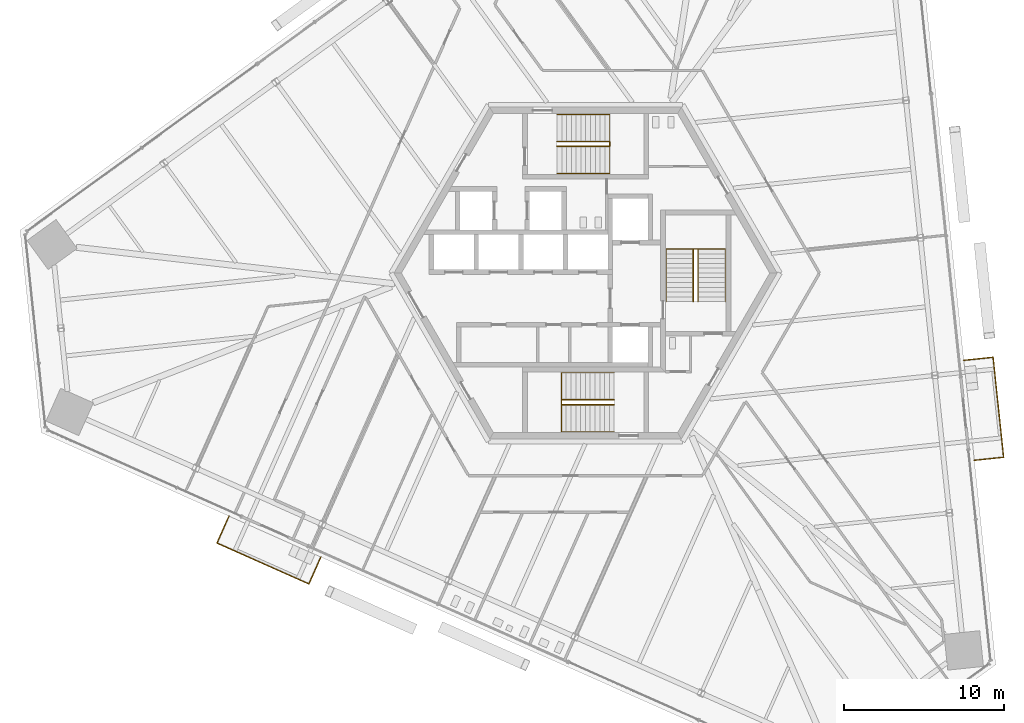
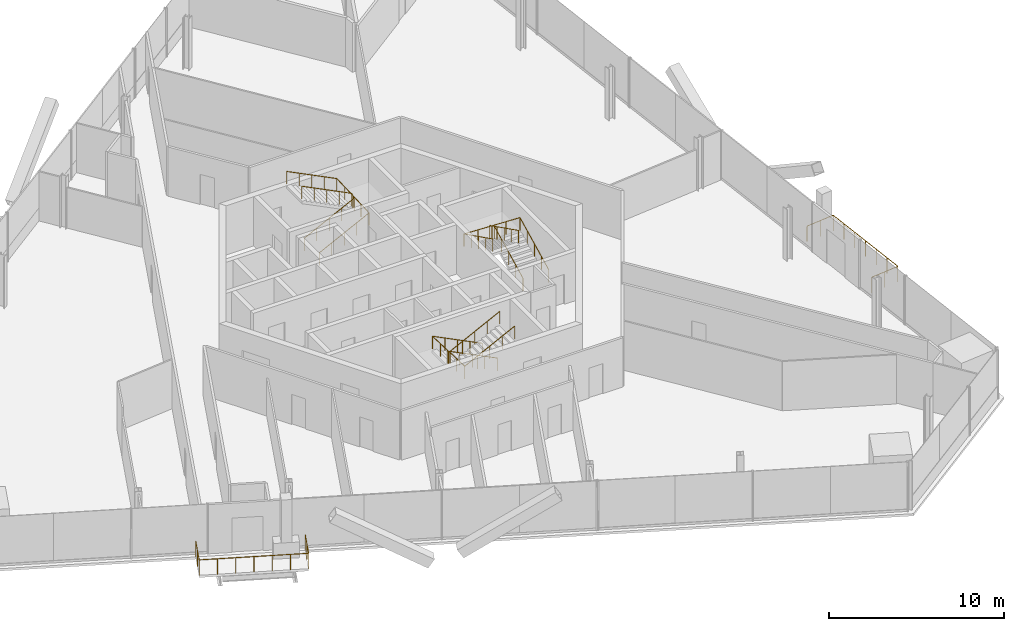
# One storey, part 16 of 19: 8 railings.
"""IFC4 building model written with IfcOpenShell, lengths in metres."""

from ifc_helpers import new_model, si_unit, direction, frame, origin, origin_2d, place, context, subcontext, project, spatial, circle, extrude, source, transform, mapped, material, type_object, element, save


model = new_model("IFC4")

# Units and contexts
model_context = context("Model", 3, precision=1e-05, world=origin(), true_north=direction((0.0, 1.0)))
body_context = subcontext(model_context, "Body", "Model", "MODEL_VIEW")
ifc_project = project(units=[si_unit("LENGTHUNIT", "METRE"), si_unit("AREAUNIT", "SQUARE_METRE"), si_unit("VOLUMEUNIT", "CUBIC_METRE"), si_unit("PLANEANGLEUNIT", "RADIAN"), si_unit("MASSUNIT", "GRAM", prefix="KILO")], contexts=[model_context])

# Site, building, storey
site_placement = place(None, origin())
site = spatial("IfcSite", under=ifc_project, at=site_placement, CompositionType="ELEMENT")
building_placement = place(site_placement, origin())
building = spatial("IfcBuilding", under=site, at=building_placement, Name="Triune Harvest Tower", CompositionType="ELEMENT")
storey_placement = place(building_placement, frame((0.0, 0.0, 76.5)))
storey = spatial("IfcBuildingStorey", under=building, at=storey_placement, Name="L18", CompositionType="ELEMENT", Elevation=76.5)

# Railings
ifc_material_1 = material(Name="Stainless steel AISI 316", Category="steel")
railing_type_1 = type_object("IfcRailingType", Name="Stair handrail", PredefinedType="HANDRAIL", material=ifc_material_1)
shared_shape_1 = source(origin(), body_context, "Body", "SweptSolid", [
    extrude(circle(Radius=0.02392578125, at=origin_2d()), frame((0.0, 0.0, 0.8759765625), z_axis=(0.894413956696, 0.0, 0.447240063129), x_axis=(0.0, 1.0, 0.0)), (0.0, 0.0, 1.0), 3.689697265625),
    extrude(circle(Radius=0.02392578125, at=origin_2d()), frame((3.300048828125, 0.0, 2.52587890625), z_axis=(0.0, 0.999180289278, 0.040481471304), x_axis=(-1.0, 0.0, 0.0)), (0.0, 0.0, 1.0), 3.702880859375),
    extrude(circle(Radius=0.02392578125, at=origin_2d()), frame((3.300048828125, 3.699951171875, 2.67578125), z_axis=(-0.894413956696, 0.0, 0.447240063129), x_axis=(0.0, -1.0, 0.0)), (0.0, 0.0, 1.0), 3.689697265625),
    extrude(circle(Radius=0.02099609375, at=origin_2d()), origin(), (0.0, 0.0, 1.0), 0.851806640625),
    extrude(circle(Radius=0.02099609375, at=origin_2d()), frame((0.824951171875, 0.0, 0.41259765625)), (0.0, 0.0, 1.0), 0.851806640625),
    extrude(circle(Radius=0.02099609375, at=origin_2d()), frame((1.64990234375, 0.0, 0.8251953125)), (0.0, 0.0, 1.0), 0.851806640625),
    extrude(circle(Radius=0.02099609375, at=origin_2d()), frame((2.47509765625, 0.0, 1.237548828125)), (0.0, 0.0, 1.0), 0.851806640625),
    extrude(circle(Radius=0.02099609375, at=origin_2d()), frame((3.300048828125, 0.0, 1.650146484375)), (0.0, 0.0, 1.0), 0.851806640625),
    extrude(circle(Radius=0.02099609375, at=origin_2d()), frame((3.300048828125, 0.925048828125, 1.6875)), (0.0, 0.0, 1.0), 0.851806640625),
    extrude(circle(Radius=0.02099609375, at=origin_2d()), frame((3.300048828125, 1.85009765625, 1.72509765625)), (0.0, 0.0, 1.0), 0.851806640625),
    extrude(circle(Radius=0.02099609375, at=origin_2d()), frame((3.300048828125, 2.77490234375, 1.7626953125)), (0.0, 0.0, 1.0), 0.851806640625),
    extrude(circle(Radius=0.02099609375, at=origin_2d()), frame((3.300048828125, 3.699951171875, 1.800048828125)), (0.0, 0.0, 1.0), 0.851806640625),
    extrude(circle(Radius=0.02099609375, at=origin_2d()), frame((2.47509765625, 3.699951171875, 2.212646484375)), (0.0, 0.0, 1.0), 0.851806640625),
    extrude(circle(Radius=0.02099609375, at=origin_2d()), frame((1.64990234375, 3.699951171875, 2.625)), (0.0, 0.0, 1.0), 0.851806640625),
    extrude(circle(Radius=0.02099609375, at=origin_2d()), frame((0.824951171875, 3.699951171875, 3.03759765625)), (0.0, 0.0, 1.0), 0.851806640625),
    extrude(circle(Radius=0.02099609375, at=origin_2d()), frame((0.0, 3.699951171875, 3.4501953125)), (0.0, 0.0, 1.0), 0.851806640625),
])
railing_1_placement = place(storey_placement, frame((-1.7900390625, 6.239990234375, 0.14990234375)))
element("IfcRailing", 1, at=railing_1_placement, inside=storey, type_object=railing_type_1, Name="Exit stair north wall handrail", PredefinedType="HANDRAIL", context=body_context, shape_type="MappedRepresentation", body=[
    mapped(shared_shape_1, transform((0.0, 0.0, 0.0), scale=1.0)),
])
shared_shape_2 = source(origin(), body_context, "Body", "SweptSolid", [
    extrude(circle(Radius=0.02392578125, at=origin_2d()), frame((0.0, 0.0, 0.8759765625), z_axis=(0.894413956696, 0.0, 0.447240063129), x_axis=(0.0, 1.0, 0.0)), (0.0, 0.0, 1.0), 3.689697265625),
    extrude(circle(Radius=0.02392578125, at=origin_2d()), frame((3.300048828125, 0.0, 2.52587890625), z_axis=(0.0, 0.894572720946, 0.446922417137), x_axis=(-1.0, 0.0, 0.0)), (0.0, 0.0, 1.0), 0.33544921875),
    extrude(circle(Radius=0.02392578125, at=origin_2d()), frame((3.300048828125, 0.300048828125, 2.67578125), z_axis=(-0.894413956696, 0.0, 0.447240063129), x_axis=(0.0, -1.0, 0.0)), (0.0, 0.0, 1.0), 3.689697265625),
    extrude(circle(Radius=0.02099609375, at=origin_2d()), origin(), (0.0, 0.0, 1.0), 0.851806640625),
    extrude(circle(Radius=0.02099609375, at=origin_2d()), frame((0.824951171875, 0.0, 0.41259765625)), (0.0, 0.0, 1.0), 0.851806640625),
    extrude(circle(Radius=0.02099609375, at=origin_2d()), frame((1.64990234375, 0.0, 0.8251953125)), (0.0, 0.0, 1.0), 0.851806640625),
    extrude(circle(Radius=0.02099609375, at=origin_2d()), frame((2.47509765625, 0.0, 1.237548828125)), (0.0, 0.0, 1.0), 0.851806640625),
    extrude(circle(Radius=0.02099609375, at=origin_2d()), frame((3.300048828125, 0.0, 1.650146484375)), (0.0, 0.0, 1.0), 0.851806640625),
    extrude(circle(Radius=0.02099609375, at=origin_2d()), frame((3.300048828125, 0.300048828125, 1.800048828125)), (0.0, 0.0, 1.0), 0.851806640625),
    extrude(circle(Radius=0.02099609375, at=origin_2d()), frame((2.47509765625, 0.300048828125, 2.212646484375)), (0.0, 0.0, 1.0), 0.851806640625),
    extrude(circle(Radius=0.02099609375, at=origin_2d()), frame((1.64990234375, 0.300048828125, 2.625)), (0.0, 0.0, 1.0), 0.851806640625),
    extrude(circle(Radius=0.02099609375, at=origin_2d()), frame((0.824951171875, 0.300048828125, 3.03759765625)), (0.0, 0.0, 1.0), 0.851806640625),
    extrude(circle(Radius=0.02099609375, at=origin_2d()), frame((0.0, 0.300048828125, 3.4501953125)), (0.0, 0.0, 1.0), 0.851806640625),
])
railing_2_placement = place(storey_placement, frame((-1.7900390625, 7.93994140625, 0.14990234375)))
element("IfcRailing", 2, at=railing_2_placement, inside=storey, type_object=railing_type_1, Name="Exit stair north centre handrail", PredefinedType="HANDRAIL", context=body_context, shape_type="MappedRepresentation", body=[
    mapped(shared_shape_2, transform((0.0, 0.0, 0.0), scale=1.0)),
])
shared_shape_3 = source(origin(), body_context, "Body", "SweptSolid", [
    extrude(circle(Radius=0.02392578125, at=origin_2d()), frame((0.0, 0.0, 0.8759765625), z_axis=(-0.894413956696, 0.0, 0.447240063129), x_axis=(0.0, -1.0, 0.0)), (0.0, 0.0, 1.0), 3.689697265625),
    extrude(circle(Radius=0.02392578125, at=origin_2d()), frame((-3.300048828125, 0.0, 2.52587890625), z_axis=(0.0, -0.999180289278, 0.040481471304), x_axis=(1.0, 0.0, 0.0)), (0.0, 0.0, 1.0), 3.702880859375),
    extrude(circle(Radius=0.02392578125, at=origin_2d()), frame((-3.300048828125, -3.699951171875, 2.67578125), z_axis=(0.894413956696, 0.0, 0.447240063129), x_axis=(0.0, 1.0, 0.0)), (0.0, 0.0, 1.0), 3.689697265625),
    extrude(circle(Radius=0.02099609375, at=origin_2d()), origin(), (0.0, 0.0, 1.0), 0.851806640625),
    extrude(circle(Radius=0.02099609375, at=origin_2d()), frame((-0.824951171875, 0.0, 0.41259765625)), (0.0, 0.0, 1.0), 0.851806640625),
    extrude(circle(Radius=0.02099609375, at=origin_2d()), frame((-1.64990234375, 0.0, 0.8251953125)), (0.0, 0.0, 1.0), 0.851806640625),
    extrude(circle(Radius=0.02099609375, at=origin_2d()), frame((-2.47509765625, 0.0, 1.237548828125)), (0.0, 0.0, 1.0), 0.851806640625),
    extrude(circle(Radius=0.02099609375, at=origin_2d()), frame((-3.300048828125, 0.0, 1.650146484375)), (0.0, 0.0, 1.0), 0.851806640625),
    extrude(circle(Radius=0.02099609375, at=origin_2d()), frame((-3.300048828125, -0.925048828125, 1.6875)), (0.0, 0.0, 1.0), 0.851806640625),
    extrude(circle(Radius=0.02099609375, at=origin_2d()), frame((-3.300048828125, -1.85009765625, 1.72509765625)), (0.0, 0.0, 1.0), 0.851806640625),
    extrude(circle(Radius=0.02099609375, at=origin_2d()), frame((-3.300048828125, -2.77490234375, 1.7626953125)), (0.0, 0.0, 1.0), 0.851806640625),
    extrude(circle(Radius=0.02099609375, at=origin_2d()), frame((-3.300048828125, -3.699951171875, 1.800048828125)), (0.0, 0.0, 1.0), 0.851806640625),
    extrude(circle(Radius=0.02099609375, at=origin_2d()), frame((-2.47509765625, -3.699951171875, 2.212646484375)), (0.0, 0.0, 1.0), 0.851806640625),
    extrude(circle(Radius=0.02099609375, at=origin_2d()), frame((-1.64990234375, -3.699951171875, 2.625)), (0.0, 0.0, 1.0), 0.851806640625),
    extrude(circle(Radius=0.02099609375, at=origin_2d()), frame((-0.824951171875, -3.699951171875, 3.03759765625)), (0.0, 0.0, 1.0), 0.851806640625),
    extrude(circle(Radius=0.02099609375, at=origin_2d()), frame((0.0, -3.699951171875, 3.4501953125)), (0.0, 0.0, 1.0), 0.851806640625),
])
railing_3_placement = place(storey_placement, frame((1.7900390625, -6.239990234375, 0.14990234375)))
element("IfcRailing", 3, at=railing_3_placement, inside=storey, type_object=railing_type_1, Name="Exit stair south wall handrail", PredefinedType="HANDRAIL", context=body_context, shape_type="MappedRepresentation", body=[
    mapped(shared_shape_3, transform((0.0, 0.0, 0.0), scale=1.0)),
])
shared_shape_4 = source(origin(), body_context, "Body", "SweptSolid", [
    extrude(circle(Radius=0.02392578125, at=origin_2d()), frame((0.0, 0.0, 0.8759765625), z_axis=(-0.894413956696, 0.0, 0.447240063129), x_axis=(0.0, -1.0, 0.0)), (0.0, 0.0, 1.0), 3.689697265625),
    extrude(circle(Radius=0.02392578125, at=origin_2d()), frame((-3.300048828125, 0.0, 2.52587890625), z_axis=(0.0, -0.894572720946, 0.446922417137), x_axis=(1.0, 0.0, 0.0)), (0.0, 0.0, 1.0), 0.33544921875),
    extrude(circle(Radius=0.02392578125, at=origin_2d()), frame((-3.300048828125, -0.300048828125, 2.67578125), z_axis=(0.894413956696, 0.0, 0.447240063129), x_axis=(0.0, 1.0, 0.0)), (0.0, 0.0, 1.0), 3.689697265625),
    extrude(circle(Radius=0.02099609375, at=origin_2d()), origin(), (0.0, 0.0, 1.0), 0.851806640625),
    extrude(circle(Radius=0.02099609375, at=origin_2d()), frame((-0.824951171875, 0.0, 0.41259765625)), (0.0, 0.0, 1.0), 0.851806640625),
    extrude(circle(Radius=0.02099609375, at=origin_2d()), frame((-1.64990234375, 0.0, 0.8251953125)), (0.0, 0.0, 1.0), 0.851806640625),
    extrude(circle(Radius=0.02099609375, at=origin_2d()), frame((-2.47509765625, 0.0, 1.237548828125)), (0.0, 0.0, 1.0), 0.851806640625),
    extrude(circle(Radius=0.02099609375, at=origin_2d()), frame((-3.300048828125, 0.0, 1.650146484375)), (0.0, 0.0, 1.0), 0.851806640625),
    extrude(circle(Radius=0.02099609375, at=origin_2d()), frame((-3.300048828125, -0.300048828125, 1.800048828125)), (0.0, 0.0, 1.0), 0.851806640625),
    extrude(circle(Radius=0.02099609375, at=origin_2d()), frame((-2.47509765625, -0.300048828125, 2.212646484375)), (0.0, 0.0, 1.0), 0.851806640625),
    extrude(circle(Radius=0.02099609375, at=origin_2d()), frame((-1.64990234375, -0.300048828125, 2.625)), (0.0, 0.0, 1.0), 0.851806640625),
    extrude(circle(Radius=0.02099609375, at=origin_2d()), frame((-0.824951171875, -0.300048828125, 3.03759765625)), (0.0, 0.0, 1.0), 0.851806640625),
    extrude(circle(Radius=0.02099609375, at=origin_2d()), frame((0.0, -0.300048828125, 3.4501953125)), (0.0, 0.0, 1.0), 0.851806640625),
])
railing_4_placement = place(storey_placement, frame((1.7900390625, -7.93994140625, 0.14990234375)))
element("IfcRailing", 4, at=railing_4_placement, inside=storey, type_object=railing_type_1, Name="Exit stair south centre handrail", PredefinedType="HANDRAIL", context=body_context, shape_type="MappedRepresentation", body=[
    mapped(shared_shape_4, transform((0.0, 0.0, 0.0), scale=1.0)),
])
shared_shape_5 = source(origin(), body_context, "Body", "SweptSolid", [
    extrude(circle(Radius=0.02392578125, at=origin_2d()), frame((0.0, 0.0, 0.8759765625), z_axis=(0.0, 0.894413956696, 0.447240063129), x_axis=(-1.0, 0.0, 0.0)), (0.0, 0.0, 1.0), 3.689697265625),
    extrude(circle(Radius=0.02392578125, at=origin_2d()), frame((0.0, 3.300048828125, 2.52587890625), z_axis=(-0.999180289278, 0.0, 0.040481471304), x_axis=(0.0, -1.0, 0.0)), (0.0, 0.0, 1.0), 3.702880859375),
    extrude(circle(Radius=0.02392578125, at=origin_2d()), frame((-3.699951171875, 3.300048828125, 2.67578125), z_axis=(0.0, -0.894413956696, 0.447240063129), x_axis=(1.0, 0.0, 0.0)), (0.0, 0.0, 1.0), 3.689697265625),
    extrude(circle(Radius=0.02099609375, at=origin_2d()), origin(), (0.0, 0.0, 1.0), 0.851806640625),
    extrude(circle(Radius=0.02099609375, at=origin_2d()), frame((0.0, 0.824951171875, 0.41259765625)), (0.0, 0.0, 1.0), 0.851806640625),
    extrude(circle(Radius=0.02099609375, at=origin_2d()), frame((0.0, 1.64990234375, 0.8251953125)), (0.0, 0.0, 1.0), 0.851806640625),
    extrude(circle(Radius=0.02099609375, at=origin_2d()), frame((0.0, 2.47509765625, 1.237548828125)), (0.0, 0.0, 1.0), 0.851806640625),
    extrude(circle(Radius=0.02099609375, at=origin_2d()), frame((0.0, 3.300048828125, 1.650146484375)), (0.0, 0.0, 1.0), 0.851806640625),
    extrude(circle(Radius=0.02099609375, at=origin_2d()), frame((-0.925048828125, 3.300048828125, 1.6875)), (0.0, 0.0, 1.0), 0.851806640625),
    extrude(circle(Radius=0.02099609375, at=origin_2d()), frame((-1.85009765625, 3.300048828125, 1.72509765625)), (0.0, 0.0, 1.0), 0.851806640625),
    extrude(circle(Radius=0.02099609375, at=origin_2d()), frame((-2.77490234375, 3.300048828125, 1.7626953125)), (0.0, 0.0, 1.0), 0.851806640625),
    extrude(circle(Radius=0.02099609375, at=origin_2d()), frame((-3.699951171875, 3.300048828125, 1.800048828125)), (0.0, 0.0, 1.0), 0.851806640625),
    extrude(circle(Radius=0.02099609375, at=origin_2d()), frame((-3.699951171875, 2.47509765625, 2.212646484375)), (0.0, 0.0, 1.0), 0.851806640625),
    extrude(circle(Radius=0.02099609375, at=origin_2d()), frame((-3.699951171875, 1.64990234375, 2.625)), (0.0, 0.0, 1.0), 0.851806640625),
    extrude(circle(Radius=0.02099609375, at=origin_2d()), frame((-3.699951171875, 0.824951171875, 3.03759765625)), (0.0, 0.0, 1.0), 0.851806640625),
    extrude(circle(Radius=0.02099609375, at=origin_2d()), frame((-3.699951171875, 0.0, 3.4501953125)), (0.0, 0.0, 1.0), 0.851806640625),
])
railing_5_placement = place(storey_placement, frame((8.75, -1.7900390625, 0.14990234375)))
element("IfcRailing", 5, at=railing_5_placement, inside=storey, type_object=railing_type_1, Name="Exit stair east wall handrail", PredefinedType="HANDRAIL", context=body_context, shape_type="MappedRepresentation", body=[
    mapped(shared_shape_5, transform((0.0, 0.0, 0.0), scale=1.0)),
])
shared_shape_6 = source(origin(), body_context, "Body", "SweptSolid", [
    extrude(circle(Radius=0.02392578125, at=origin_2d()), frame((0.0, 0.0, 0.8759765625), z_axis=(0.0, 0.894413956696, 0.447240063129), x_axis=(-1.0, 0.0, 0.0)), (0.0, 0.0, 1.0), 3.689697265625),
    extrude(circle(Radius=0.02392578125, at=origin_2d()), frame((0.0, 3.300048828125, 2.52587890625), z_axis=(-0.894572720946, 0.0, 0.446922417137), x_axis=(0.0, -1.0, 0.0)), (0.0, 0.0, 1.0), 0.33544921875),
    extrude(circle(Radius=0.02392578125, at=origin_2d()), frame((-0.300048828125, 3.300048828125, 2.67578125), z_axis=(0.0, -0.894413956696, 0.447240063129), x_axis=(1.0, 0.0, 0.0)), (0.0, 0.0, 1.0), 3.689697265625),
    extrude(circle(Radius=0.02099609375, at=origin_2d()), origin(), (0.0, 0.0, 1.0), 0.851806640625),
    extrude(circle(Radius=0.02099609375, at=origin_2d()), frame((0.0, 0.824951171875, 0.41259765625)), (0.0, 0.0, 1.0), 0.851806640625),
    extrude(circle(Radius=0.02099609375, at=origin_2d()), frame((0.0, 1.64990234375, 0.8251953125)), (0.0, 0.0, 1.0), 0.851806640625),
    extrude(circle(Radius=0.02099609375, at=origin_2d()), frame((0.0, 2.47509765625, 1.237548828125)), (0.0, 0.0, 1.0), 0.851806640625),
    extrude(circle(Radius=0.02099609375, at=origin_2d()), frame((0.0, 3.300048828125, 1.650146484375)), (0.0, 0.0, 1.0), 0.851806640625),
    extrude(circle(Radius=0.02099609375, at=origin_2d()), frame((-0.300048828125, 3.300048828125, 1.800048828125)), (0.0, 0.0, 1.0), 0.851806640625),
    extrude(circle(Radius=0.02099609375, at=origin_2d()), frame((-0.300048828125, 2.47509765625, 2.212646484375)), (0.0, 0.0, 1.0), 0.851806640625),
    extrude(circle(Radius=0.02099609375, at=origin_2d()), frame((-0.300048828125, 1.64990234375, 2.625)), (0.0, 0.0, 1.0), 0.851806640625),
    extrude(circle(Radius=0.02099609375, at=origin_2d()), frame((-0.300048828125, 0.824951171875, 3.03759765625)), (0.0, 0.0, 1.0), 0.851806640625),
    extrude(circle(Radius=0.02099609375, at=origin_2d()), frame((-0.300048828125, 0.0, 3.4501953125)), (0.0, 0.0, 1.0), 0.851806640625),
])
railing_6_placement = place(storey_placement, frame((7.050048828125, -1.7900390625, 0.14990234375)))
element("IfcRailing", 6, at=railing_6_placement, inside=storey, type_object=railing_type_1, Name="Exit stair east centre handrail", PredefinedType="HANDRAIL", context=body_context, shape_type="MappedRepresentation", body=[
    mapped(shared_shape_6, transform((0.0, 0.0, 0.0), scale=1.0)),
])
ifc_material_2 = material(Name="Glass", Category="glass")
railing_type_2 = type_object("IfcRailingType", Name="GD-2 balcony guard 1100", PredefinedType="GUARDRAIL", material=ifc_material_2)
shared_shape_7 = source(origin(), body_context, "Body", "SweptSolid", [
    extrude(circle(Radius=0.02392578125, at=origin_2d()), frame((0.0, 0.0, 1.076171875), z_axis=(0.99451994617, 0.104547006983, 0.0), x_axis=(-0.104547006983, 0.99451994617, 0.0)), (0.0, 0.0, 1.0), 1.8447265625),
    extrude(circle(Radius=0.02392578125, at=origin_2d()), frame((1.834716796875, 0.19287109375, 1.076171875), z_axis=(-0.104527477724, 0.994521998953, 0.0), x_axis=(-0.994521998953, -0.104527477724, 0.0)), (0.0, 0.0, 1.0), 6.301513671875),
    extrude(circle(Radius=0.02392578125, at=origin_2d()), frame((1.176025390625, 6.4599609375, 1.076171875), z_axis=(-0.994533697468, -0.104416112748, 0.0), x_axis=(0.104416112748, -0.994533697468, 0.0)), (0.0, 0.0, 1.0), 1.8447265625),
    extrude(circle(Radius=0.02099609375, at=origin_2d()), origin(), (0.0, 0.0, 1.0), 1.052001953125),
    extrude(circle(Radius=0.02099609375, at=origin_2d()), frame((0.91748046875, 0.096435546875, 0.0)), (0.0, 0.0, 1.0), 1.052001953125),
    extrude(circle(Radius=0.02099609375, at=origin_2d()), frame((1.834716796875, 0.19287109375, 0.0)), (0.0, 0.0, 1.0), 1.052001953125),
    extrude(circle(Radius=0.02099609375, at=origin_2d()), frame((1.724853515625, 1.2373046875, 0.0)), (0.0, 0.0, 1.0), 1.052001953125),
    extrude(circle(Radius=0.02099609375, at=origin_2d()), frame((1.615234375, 2.281982421875, 0.0)), (0.0, 0.0, 1.0), 1.052001953125),
    extrude(circle(Radius=0.02099609375, at=origin_2d()), frame((1.50537109375, 3.326416015625, 0.0)), (0.0, 0.0, 1.0), 1.052001953125),
    extrude(circle(Radius=0.02099609375, at=origin_2d()), frame((1.3955078125, 4.370849609375, 0.0)), (0.0, 0.0, 1.0), 1.052001953125),
    extrude(circle(Radius=0.02099609375, at=origin_2d()), frame((1.285888671875, 5.41552734375, 0.0)), (0.0, 0.0, 1.0), 1.052001953125),
    extrude(circle(Radius=0.02099609375, at=origin_2d()), frame((1.176025390625, 6.4599609375, 0.0)), (0.0, 0.0, 1.0), 1.052001953125),
    extrude(circle(Radius=0.02099609375, at=origin_2d()), frame((0.2587890625, 6.36376953125, 0.0)), (0.0, 0.0, 1.0), 1.052001953125),
    extrude(circle(Radius=0.02099609375, at=origin_2d()), frame((-0.65869140625, 6.267333984375, 0.0)), (0.0, 0.0, 1.0), 1.052001953125),
])
railing_7_placement = place(storey_placement, frame((24.357421875, -11.732177734375, 0.0)))
element("IfcRailing", 7, at=railing_7_placement, inside=storey, type_object=railing_type_2, Name="Balcony guard B2-F1 L18.4", PredefinedType="GUARDRAIL", context=body_context, shape_type="MappedRepresentation", body=[
    mapped(shared_shape_7, transform((0.0, 0.0, 0.0), scale=1.0)),
])
shared_shape_8 = source(origin(), body_context, "Body", "SweptSolid", [
    extrude(circle(Radius=0.02392578125, at=origin_2d()), frame((0.0, 0.0, 1.076171875), z_axis=(-0.406740135234, -0.913543902826, 0.0), x_axis=(0.913543902826, -0.406740135234, 0.0)), (0.0, 0.0, 1.0), 1.844482421875),
    extrude(circle(Radius=0.02392578125, at=origin_2d()), frame((-0.750244140625, -1.68505859375, 1.076171875), z_axis=(0.91353815034, -0.406753055149, 0.0), x_axis=(0.406753055149, 0.91353815034, 0.0)), (0.0, 0.0, 1.0), 6.3017578125),
    extrude(circle(Radius=0.02392578125, at=origin_2d()), frame((5.006591796875, -4.248291015625, 1.076171875), z_axis=(0.406690959187, 0.913565796052, 0.0), x_axis=(-0.913565796052, 0.406690959187, 0.0)), (0.0, 0.0, 1.0), 1.8447265625),
    extrude(circle(Radius=0.02099609375, at=origin_2d()), origin(), (0.0, 0.0, 1.0), 1.052001953125),
    extrude(circle(Radius=0.02099609375, at=origin_2d()), frame((-0.375, -0.842529296875, 0.0)), (0.0, 0.0, 1.0), 1.052001953125),
    extrude(circle(Radius=0.02099609375, at=origin_2d()), frame((-0.750244140625, -1.68505859375, 0.0)), (0.0, 0.0, 1.0), 1.052001953125),
    extrude(circle(Radius=0.02099609375, at=origin_2d()), frame((0.209228515625, -2.1123046875, 0.0)), (0.0, 0.0, 1.0), 1.052001953125),
    extrude(circle(Radius=0.02099609375, at=origin_2d()), frame((1.168701171875, -2.53955078125, 0.0)), (0.0, 0.0, 1.0), 1.052001953125),
    extrude(circle(Radius=0.02099609375, at=origin_2d()), frame((2.128173828125, -2.966796875, 0.0)), (0.0, 0.0, 1.0), 1.052001953125),
    extrude(circle(Radius=0.02099609375, at=origin_2d()), frame((3.087646484375, -3.393798828125, 0.0)), (0.0, 0.0, 1.0), 1.052001953125),
    extrude(circle(Radius=0.02099609375, at=origin_2d()), frame((4.047119140625, -3.821044921875, 0.0)), (0.0, 0.0, 1.0), 1.052001953125),
    extrude(circle(Radius=0.02099609375, at=origin_2d()), frame((5.006591796875, -4.248291015625, 0.0)), (0.0, 0.0, 1.0), 1.052001953125),
    extrude(circle(Radius=0.02099609375, at=origin_2d()), frame((5.3818359375, -3.40576171875, 0.0)), (0.0, 0.0, 1.0), 1.052001953125),
    extrude(circle(Radius=0.02099609375, at=origin_2d()), frame((5.7568359375, -2.56298828125, 0.0)), (0.0, 0.0, 1.0), 1.052001953125),
])
railing_8_placement = place(storey_placement, frame((-22.339111328125, -15.228271484375, 0.0)))
element("IfcRailing", 8, at=railing_8_placement, inside=storey, type_object=railing_type_2, Name="Balcony guard B2-F5 L18.4", PredefinedType="GUARDRAIL", context=body_context, shape_type="MappedRepresentation", body=[
    mapped(shared_shape_8, transform((0.0, 0.0, 0.0), scale=1.0)),
])

save(model, "model.ifc")
